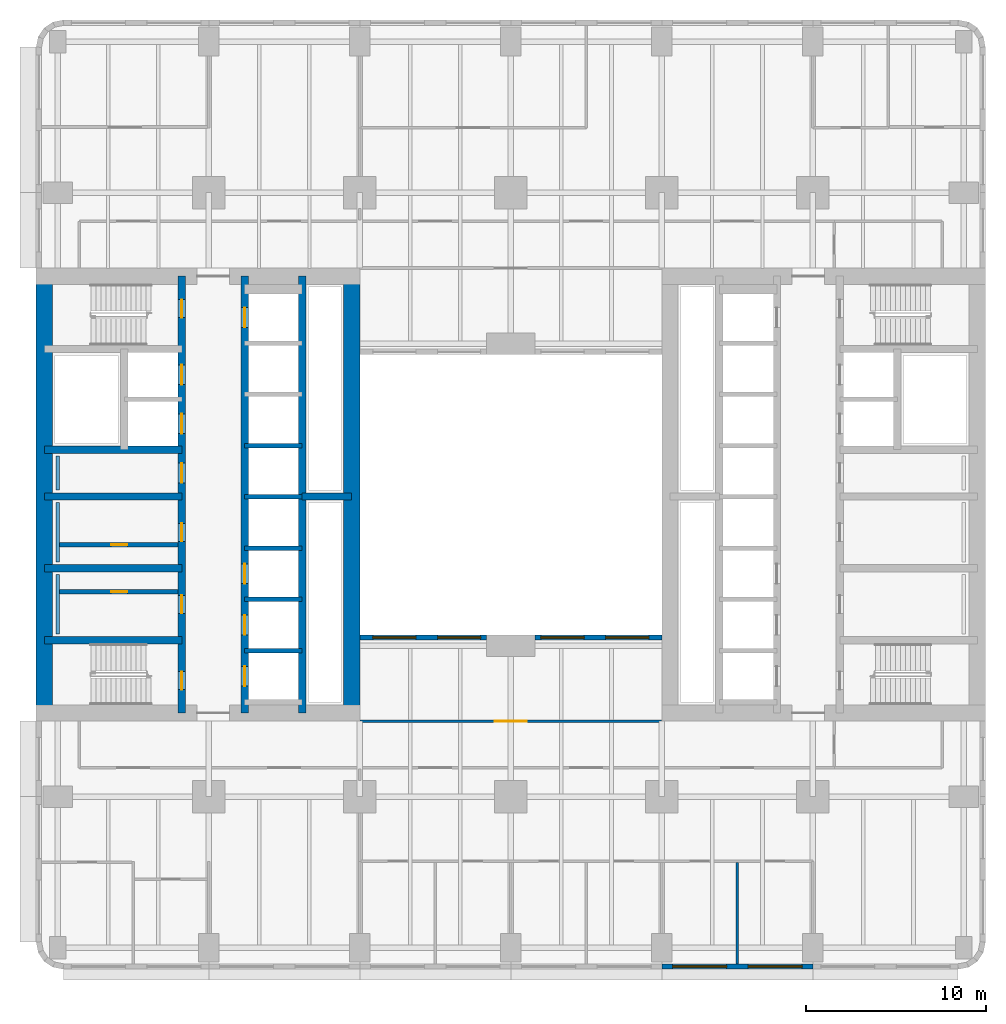
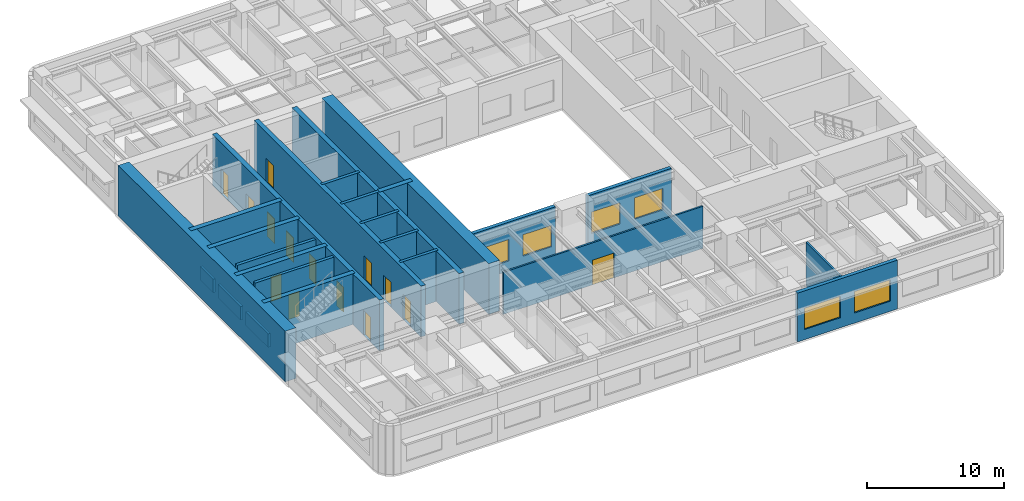
# One storey, part 4 of 12: 25 walls, 14 doors, 6 windows, 20 openings.
"""IFC4 building model written with IfcOpenShell, lengths in metres."""

from ifc_helpers import new_model, si_unit, direction, frame, frame_2d, origin, place, context, subcontext, project, spatial, rectangle, extrude, material, layer, layer_set, type_object, element, fill, save


model = new_model("IFC4")

# Units and contexts
model_context = context("Model", 3, precision=1e-05, world=origin(), true_north=direction((0.0, 1.0)))
body_context = subcontext(model_context, "Body", "Model", "MODEL_VIEW")
ifc_project = project(units=[si_unit("LENGTHUNIT", "METRE"), si_unit("AREAUNIT", "SQUARE_METRE"), si_unit("VOLUMEUNIT", "CUBIC_METRE"), si_unit("PLANEANGLEUNIT", "RADIAN"), si_unit("MASSUNIT", "GRAM", prefix="KILO")], contexts=[model_context])

# Site, building, storey
site_placement = place(None, origin())
site = spatial("IfcSite", under=ifc_project, at=site_placement, CompositionType="ELEMENT")
building_placement = place(site_placement, origin())
building = spatial("IfcBuilding", under=site, at=building_placement, Name="Claustro Exchange Tower", CompositionType="ELEMENT")
storey_placement = place(building_placement, frame((0.0, 0.0, 68.39990234375)))
storey = spatial("IfcBuildingStorey", under=building, at=storey_placement, Name="L15", CompositionType="ELEMENT", Elevation=68.39990234375)

# Wall
ifc_material_1 = material(Name="Gypsum board on steel studs", Category="steel")
ifc_layer_1 = layer(ifc_material_1, 0.14990234375)
ifc_layer_set_1 = layer_set([ifc_layer_1], Name="Gypsum board on steel studs")
wall_type_1 = type_object("IfcWallType", Name="P1 150 plasterboard partition", PredefinedType="PARTITIONING", material=ifc_layer_set_1)
wall_1_placement = place(storey_placement, frame((37.800048828125, -0.902099609375, 0.0), z_axis=(0.0, 0.0, 1.0), x_axis=(0.0, 1.0, 0.0)))
element("IfcWall", 1, at=wall_1_placement, inside=storey, type_object=wall_type_1, Name="Partition P1 L15", PredefinedType="PARTITIONING", context=body_context, shape_type="SweptSolid", body=[
    extrude(rectangle(XDim=5.628173828125, YDim=0.14990234375, at=frame_2d((2.81396484375, 0.0))), origin(), (0.0, 0.0, 1.0), 3.840087890625),
])

# Wall, opening, door
wall_2_placement = place(storey_placement, frame((16.820068359375, 12.60009765625, 0.0), z_axis=(0.0, 0.0, 1.0), x_axis=(1.0, 0.0, 0.0)))
wall_2 = element("IfcWall", 2, at=wall_2_placement, inside=storey, type_object=wall_type_1, Name="Partition P1 L15", PredefinedType="PARTITIONING", context=body_context, shape_type="SweptSolid", body=[
    extrude(rectangle(XDim=16.760009765625, YDim=0.14990234375, at=frame_2d((8.3798828125, 0.0))), origin(), (0.0, 0.0, 1.0), 3.739990234375),
])
opening_1_placement = place(wall_2_placement, frame((7.47998046875, 0.0, 0.0)))
opening_1 = element("IfcOpeningElement", 3, at=opening_1_placement, cuts=wall_2, Name="Opening D2", PredefinedType="OPENING", context=body_context, shape_type="SweptSolid", body=[
    extrude(rectangle(XDim=1.800048828125, YDim=2.199951171875, at=frame_2d((0.89990234375, 1.10009765625))), frame((0.0, 0.0849609375, 0.0), z_axis=(0.0, -1.0, 0.0), x_axis=(1.0, 0.0, 0.0)), (0.0, 0.0, 1.0), 0.169921875),
])
ifc_material_2 = material(Name="Timber door, oak veneer", Category="wood")
door_type_1 = type_object("IfcDoorType", Name="D2 1800 x 2200 double door", OperationType="DOUBLE_DOOR_SINGLE_SWING", PredefinedType="DOOR", material=ifc_material_2)
door_1_placement = place(opening_1_placement, frame((1.800048828125, 0.0, 0.0), z_axis=(0.0, 0.0, 1.0), x_axis=(-1.0, 0.0, 0.0)))
door_1 = element("IfcDoor", 4, at=door_1_placement, inside=storey, type_object=door_type_1, Name="Double door D2 L15", OperationType="DOUBLE_DOOR_SINGLE_SWING", OverallHeight=2.199951171875, OverallWidth=1.800048828125, PredefinedType="DOOR", context=body_context, shape_type="SweptSolid", body=[
    extrude(rectangle(XDim=1.800048828125, YDim=2.199951171875, at=frame_2d((0.89990234375, 1.10009765625))), frame((0.0, 0.02490234375, 0.0), z_axis=(0.0, -1.0, 0.0), x_axis=(1.0, 0.0, 0.0)), (0.0, 0.0, 1.0), 0.050048828125),
])
fill(opening_1, door_1)

ifc_material_3 = material(Name="Concrete blockwork, rendered", Category="masonry")
ifc_layer_2 = layer(ifc_material_3, 0.25)
ifc_layer_set_2 = layer_set([ifc_layer_2], Name="Concrete blockwork, rendered")
wall_type_2 = type_object("IfcWallType", Name="P4 250 blockwork wall", PredefinedType="PARTITIONING", material=ifc_layer_set_2)
wall_3_placement = place(storey_placement, frame((0.10009765625, 22.39990234375, 0.0), z_axis=(0.0, 0.0, 1.0), x_axis=(1.0, 0.0, 0.0)))
wall_3 = element("IfcWall", 5, at=wall_3_placement, inside=storey, type_object=wall_type_2, Name="Partition P4 L15", PredefinedType="PARTITIONING", context=body_context, shape_type="SweptSolid", body=[
    extrude(rectangle(XDim=6.599853515625, YDim=0.25, at=frame_2d((3.2998046875, 0.0))), origin(), (0.0, 0.0, 1.0), 4.300048828125),
])
opening_2_placement = place(wall_3_placement, frame((2.875, 0.0, 0.0)))
opening_2 = element("IfcOpeningElement", 6, at=opening_2_placement, cuts=wall_3, Name="Opening D5", PredefinedType="OPENING", context=body_context, shape_type="SweptSolid", body=[
    extrude(rectangle(XDim=0.89990234375, YDim=2.199951171875, at=frame_2d((0.449951171875, 1.10009765625))), frame((0.0, 0.135009765625, 0.0), z_axis=(0.0, -1.0, 0.0), x_axis=(1.0, 0.0, 0.0)), (0.0, 0.0, 1.0), 0.27001953125),
])
ifc_material_4 = material(Name="Steel door, painted", Category="steel")
door_type_2 = type_object("IfcDoorType", Name="D5 900 x 2200 store door", OperationType="SINGLE_SWING_LEFT", PredefinedType="DOOR", material=ifc_material_4)
door_2_placement = place(opening_2_placement, frame((0.89990234375, 0.0, 0.0), z_axis=(0.0, 0.0, 1.0), x_axis=(-1.0, 0.0, 0.0)))
door_2 = element("IfcDoor", 7, at=door_2_placement, inside=storey, type_object=door_type_2, Name="Store door D5 L15", OperationType="SINGLE_SWING_RIGHT", OverallHeight=2.199951171875, OverallWidth=0.89990234375, PredefinedType="DOOR", context=body_context, shape_type="SweptSolid", body=[
    extrude(rectangle(XDim=0.89990234375, YDim=2.199951171875, at=frame_2d((0.449951171875, 1.10009765625))), frame((0.0, 0.02490234375, 0.0), z_axis=(0.0, -1.0, 0.0), x_axis=(1.0, 0.0, 0.0)), (0.0, 0.0, 1.0), 0.050048828125),
])
fill(opening_2, door_2)

wall_4_placement = place(storey_placement, frame((0.10009765625, 19.800048828125, 0.0), z_axis=(0.0, 0.0, 1.0), x_axis=(1.0, 0.0, 0.0)))
wall_4 = element("IfcWall", 8, at=wall_4_placement, inside=storey, type_object=wall_type_2, Name="Partition P4 L15", PredefinedType="PARTITIONING", context=body_context, shape_type="SweptSolid", body=[
    extrude(rectangle(XDim=6.599853515625, YDim=0.25, at=frame_2d((3.2998046875, 0.0))), origin(), (0.0, 0.0, 1.0), 4.300048828125),
])
opening_3_placement = place(wall_4_placement, frame((2.875, 0.0, 0.0)))
opening_3 = element("IfcOpeningElement", 9, at=opening_3_placement, cuts=wall_4, Name="Opening D5", PredefinedType="OPENING", context=body_context, shape_type="SweptSolid", body=[
    extrude(rectangle(XDim=0.89990234375, YDim=2.199951171875, at=frame_2d((0.449951171875, 1.10009765625))), frame((0.0, 0.135009765625, 0.0), z_axis=(0.0, -1.0, 0.0), x_axis=(1.0, 0.0, 0.0)), (0.0, 0.0, 1.0), 0.27001953125),
])
door_3_placement = place(opening_3_placement, origin())
door_3 = element("IfcDoor", 10, at=door_3_placement, inside=storey, type_object=door_type_2, Name="Store door D5 L15", OperationType="SINGLE_SWING_LEFT", OverallHeight=2.199951171875, OverallWidth=0.89990234375, PredefinedType="DOOR", context=body_context, shape_type="SweptSolid", body=[
    extrude(rectangle(XDim=0.89990234375, YDim=2.199951171875, at=frame_2d((0.449951171875, 1.10009765625))), frame((0.0, 0.02490234375, 0.0), z_axis=(0.0, -1.0, 0.0), x_axis=(1.0, 0.0, 0.0)), (0.0, 0.0, 1.0), 0.050048828125),
])
fill(opening_3, door_3)

# Wall, openings, windows
ifc_material_5 = material(Name="Concrete HA-40 (C40/50), precast, white cement, acid-etched", Category="concrete")
ifc_layer_3 = layer(ifc_material_5, 0.300048828125)
ifc_layer_set_3 = layer_set([ifc_layer_3], Name="Concrete HA-40 (C40/50), precast, white cement, acid-etched")
wall_type_3 = type_object("IfcWallType", Name="PC1 300 precast concrete pier panel", PredefinedType="SOLIDWALL", material=ifc_layer_set_3)
wall_5_placement = place(storey_placement, frame((42.0, -1.050048828125, 0.0), z_axis=(0.0, 0.0, 1.0), x_axis=(-1.0, 0.0, 0.0)))
wall_5 = element("IfcWall", 11, at=wall_5_placement, inside=storey, type_object=wall_type_3, Name="Precast pier panel PC1 L15", PredefinedType="SOLIDWALL", context=body_context, shape_type="SweptSolid", body=[
    extrude(rectangle(XDim=8.39990234375, YDim=0.300048828125, at=frame_2d((4.199951171875, 0.0))), origin(), (0.0, 0.0, 1.0), 4.340087890625),
])
opening_4_placement = place(wall_5_placement, frame((0.60009765625, 0.0, 0.89990234375)))
opening_4 = element("IfcOpeningElement", 12, at=opening_4_placement, cuts=wall_5, Name="Opening W1", PredefinedType="OPENING", context=body_context, shape_type="SweptSolid", body=[
    extrude(rectangle(XDim=3.0, YDim=1.89990234375, at=frame_2d((1.5, 0.949951171875))), frame((0.0, 0.159912109375, 0.0), z_axis=(0.0, -1.0, 0.0), x_axis=(1.0, 0.0, 0.0)), (0.0, 0.0, 1.0), 0.320068359375),
])
opening_5_placement = place(wall_5_placement, frame((4.800048828125, 0.0, 0.89990234375)))
opening_5 = element("IfcOpeningElement", 13, at=opening_5_placement, cuts=wall_5, Name="Opening W1", PredefinedType="OPENING", context=body_context, shape_type="SweptSolid", body=[
    extrude(rectangle(XDim=3.0, YDim=1.89990234375, at=frame_2d((1.5, 0.949951171875))), frame((0.0, 0.159912109375, 0.0), z_axis=(0.0, -1.0, 0.0), x_axis=(1.0, 0.0, 0.0)), (0.0, 0.0, 1.0), 0.320068359375),
])
ifc_material_6 = material(Name="Aluminium frame, clear double glazing", Category="aluminium")
window_type_1 = type_object("IfcWindowType", Name="W1 3000 x 1900 window", PartitioningType="SINGLE_PANEL", PredefinedType="WINDOW", material=ifc_material_6)
window_1_placement = place(opening_4_placement, origin())
window_1 = element("IfcWindow", 14, at=window_1_placement, inside=storey, type_object=window_type_1, Name="Window W1 L15", OverallHeight=1.89990234375, OverallWidth=3.0, PartitioningType="SINGLE_PANEL", PredefinedType="WINDOW", context=body_context, shape_type="SweptSolid", body=[
    extrude(rectangle(XDim=3.0, YDim=1.89990234375, at=frame_2d((1.5, 0.949951171875))), frame((0.0, 0.030029296875, 0.0), z_axis=(0.0, -1.0, 0.0), x_axis=(1.0, 0.0, 0.0)), (0.0, 0.0, 1.0), 0.06005859375),
])
fill(opening_4, window_1)
window_2_placement = place(opening_5_placement, origin())
window_2 = element("IfcWindow", 15, at=window_2_placement, inside=storey, type_object=window_type_1, Name="Window W1 L15", OverallHeight=1.89990234375, OverallWidth=3.0, PartitioningType="SINGLE_PANEL", PredefinedType="WINDOW", context=body_context, shape_type="SweptSolid", body=[
    extrude(rectangle(XDim=3.0, YDim=1.89990234375, at=frame_2d((1.5, 0.949951171875))), frame((0.0, 0.030029296875, 0.0), z_axis=(0.0, -1.0, 0.0), x_axis=(1.0, 0.0, 0.0)), (0.0, 0.0, 1.0), 0.06005859375),
])
fill(opening_5, window_2)

wall_6_placement = place(storey_placement, frame((16.800048828125, 17.25, 0.0), z_axis=(0.0, 0.0, 1.0), x_axis=(1.0, 0.0, 0.0)))
wall_6 = element("IfcWall", 16, at=wall_6_placement, inside=storey, type_object=wall_type_3, Name="Precast pier panel PC1 L15", PredefinedType="SOLIDWALL", context=body_context, shape_type="SweptSolid", body=[
    extrude(rectangle(XDim=7.050048828125, YDim=0.300048828125, at=frame_2d((3.52490234375, 0.0))), origin(), (0.0, 0.0, 1.0), 4.340087890625),
])
opening_6_placement = place(wall_6_placement, frame((0.72509765625, 0.0, 0.89990234375)))
opening_6 = element("IfcOpeningElement", 17, at=opening_6_placement, cuts=wall_6, Name="Opening W2", PredefinedType="OPENING", context=body_context, shape_type="SweptSolid", body=[
    extrude(rectangle(XDim=2.39990234375, YDim=1.89990234375, at=frame_2d((1.199951171875, 0.949951171875))), frame((0.0, 0.159912109375, 0.0), z_axis=(0.0, -1.0, 0.0), x_axis=(1.0, 0.0, 0.0)), (0.0, 0.0, 1.0), 0.320068359375),
])
opening_7_placement = place(wall_6_placement, frame((4.324951171875, 0.0, 0.89990234375)))
opening_7 = element("IfcOpeningElement", 18, at=opening_7_placement, cuts=wall_6, Name="Opening W2", PredefinedType="OPENING", context=body_context, shape_type="SweptSolid", body=[
    extrude(rectangle(XDim=2.39990234375, YDim=1.89990234375, at=frame_2d((1.199951171875, 0.949951171875))), frame((0.0, 0.159912109375, 0.0), z_axis=(0.0, -1.0, 0.0), x_axis=(1.0, 0.0, 0.0)), (0.0, 0.0, 1.0), 0.320068359375),
])
ifc_material_7 = material(Name="Aluminium frame, clear double glazing", Category="aluminium")
window_type_2 = type_object("IfcWindowType", Name="W2 2400 x 1900 window", PartitioningType="SINGLE_PANEL", PredefinedType="WINDOW", material=ifc_material_7)
window_3_placement = place(opening_6_placement, origin())
window_3 = element("IfcWindow", 19, at=window_3_placement, inside=storey, type_object=window_type_2, Name="Window W2 L15", OverallHeight=1.89990234375, OverallWidth=2.39990234375, PartitioningType="SINGLE_PANEL", PredefinedType="WINDOW", context=body_context, shape_type="SweptSolid", body=[
    extrude(rectangle(XDim=2.39990234375, YDim=1.89990234375, at=frame_2d((1.199951171875, 0.949951171875))), frame((0.0, 0.030029296875, 0.0), z_axis=(0.0, -1.0, 0.0), x_axis=(1.0, 0.0, 0.0)), (0.0, 0.0, 1.0), 0.06005859375),
])
fill(opening_6, window_3)
window_4_placement = place(opening_7_placement, origin())
window_4 = element("IfcWindow", 20, at=window_4_placement, inside=storey, type_object=window_type_2, Name="Window W2 L15", OverallHeight=1.89990234375, OverallWidth=2.39990234375, PartitioningType="SINGLE_PANEL", PredefinedType="WINDOW", context=body_context, shape_type="SweptSolid", body=[
    extrude(rectangle(XDim=2.39990234375, YDim=1.89990234375, at=frame_2d((1.199951171875, 0.949951171875))), frame((0.0, 0.030029296875, 0.0), z_axis=(0.0, -1.0, 0.0), x_axis=(1.0, 0.0, 0.0)), (0.0, 0.0, 1.0), 0.06005859375),
])
fill(opening_7, window_4)

wall_7_placement = place(storey_placement, frame((26.550048828125, 17.25, 0.0), z_axis=(0.0, 0.0, 1.0), x_axis=(1.0, 0.0, 0.0)))
wall_7 = element("IfcWall", 21, at=wall_7_placement, inside=storey, type_object=wall_type_3, Name="Precast pier panel PC1 L15", PredefinedType="SOLIDWALL", context=body_context, shape_type="SweptSolid", body=[
    extrude(rectangle(XDim=7.050048828125, YDim=0.300048828125, at=frame_2d((3.52490234375, 0.0))), origin(), (0.0, 0.0, 1.0), 4.340087890625),
])
opening_8_placement = place(wall_7_placement, frame((0.324951171875, 0.0, 0.89990234375)))
opening_8 = element("IfcOpeningElement", 22, at=opening_8_placement, cuts=wall_7, Name="Opening W2", PredefinedType="OPENING", context=body_context, shape_type="SweptSolid", body=[
    extrude(rectangle(XDim=2.39990234375, YDim=1.89990234375, at=frame_2d((1.199951171875, 0.949951171875))), frame((0.0, 0.159912109375, 0.0), z_axis=(0.0, -1.0, 0.0), x_axis=(1.0, 0.0, 0.0)), (0.0, 0.0, 1.0), 0.320068359375),
])
opening_9_placement = place(wall_7_placement, frame((3.925048828125, 0.0, 0.89990234375)))
opening_9 = element("IfcOpeningElement", 23, at=opening_9_placement, cuts=wall_7, Name="Opening W2", PredefinedType="OPENING", context=body_context, shape_type="SweptSolid", body=[
    extrude(rectangle(XDim=2.39990234375, YDim=1.89990234375, at=frame_2d((1.199951171875, 0.949951171875))), frame((0.0, 0.159912109375, 0.0), z_axis=(0.0, -1.0, 0.0), x_axis=(1.0, 0.0, 0.0)), (0.0, 0.0, 1.0), 0.320068359375),
])
window_5_placement = place(opening_8_placement, origin())
window_5 = element("IfcWindow", 24, at=window_5_placement, inside=storey, type_object=window_type_2, Name="Window W2 L15", OverallHeight=1.89990234375, OverallWidth=2.39990234375, PartitioningType="SINGLE_PANEL", PredefinedType="WINDOW", context=body_context, shape_type="SweptSolid", body=[
    extrude(rectangle(XDim=2.39990234375, YDim=1.89990234375, at=frame_2d((1.199951171875, 0.949951171875))), frame((0.0, 0.030029296875, 0.0), z_axis=(0.0, -1.0, 0.0), x_axis=(1.0, 0.0, 0.0)), (0.0, 0.0, 1.0), 0.06005859375),
])
fill(opening_8, window_5)
window_6_placement = place(opening_9_placement, origin())
window_6 = element("IfcWindow", 25, at=window_6_placement, inside=storey, type_object=window_type_2, Name="Window W2 L15", OverallHeight=1.89990234375, OverallWidth=2.39990234375, PartitioningType="SINGLE_PANEL", PredefinedType="WINDOW", context=body_context, shape_type="SweptSolid", body=[
    extrude(rectangle(XDim=2.39990234375, YDim=1.89990234375, at=frame_2d((1.199951171875, 0.949951171875))), frame((0.0, 0.030029296875, 0.0), z_axis=(0.0, -1.0, 0.0), x_axis=(1.0, 0.0, 0.0)), (0.0, 0.0, 1.0), 0.06005859375),
])
fill(opening_9, window_6)

# Walls
ifc_material_8 = material(Name="Gypsum board on steel studs, tiled", Category="steel")
ifc_layer_4 = layer(ifc_material_8, 0.199951171875)
ifc_layer_set_4 = layer_set([ifc_layer_4], Name="Gypsum board on steel studs, tiled")
wall_type_4 = type_object("IfcWallType", Name="PW1 200 WC duct wall", PredefinedType="PLUMBINGWALL", material=ifc_layer_set_4)
for number, where, z_axis, x_axis, name in (
    (26, (0.0, 17.449951171875, 0.0), (0.0, 0.0, 1.0), (0.0, 1.0, 0.0), "WC duct wall PW1 L15"),
    (27, (0.0, 21.449951171875, 0.0), (0.0, 0.0, 1.0), (0.0, 1.0, 0.0), "WC duct wall PW1 L15"),
):
    element("IfcWall", number, at=place(storey_placement, frame(where, z_axis=z_axis, x_axis=x_axis)), inside=storey, type_object=wall_type_4, Name=name, PredefinedType="PLUMBINGWALL", context=body_context, shape_type="SweptSolid", body=[
        extrude(rectangle(XDim=3.300048828125, YDim=0.199951171875, at=frame_2d((1.64990234375, 0.0))), origin(), (0.0, 0.0, 1.0), 1.2001953125),
    ])
wall_8_placement = place(storey_placement, frame((0.0, 25.449951171875, 0.0), z_axis=(0.0, 0.0, 1.0), x_axis=(0.0, 1.0, 0.0)))
element("IfcWall", 28, at=wall_8_placement, inside=storey, type_object=wall_type_4, Name="WC duct wall PW1 L15", PredefinedType="PLUMBINGWALL", context=body_context, shape_type="SweptSolid", body=[
    extrude(rectangle(XDim=1.900146484375, YDim=0.199951171875, at=frame_2d((0.9501953125, 0.0))), origin(), (0.0, 0.0, 1.0), 1.2001953125),
])
ifc_material_9 = material(Name="Concrete HA-70 (C70/85)", Category="concrete")
ifc_layer_5 = layer(ifc_material_9, 0.89990234375)
ifc_layer_set_5 = layer_set([ifc_layer_5], Name="Concrete HA-70 (C70/85)")
wall_type_5 = type_object("IfcWallType", Name="SW1X 900 exposed core shear wall, board-marked face", PredefinedType="SHEAR", material=ifc_layer_set_5)
for number, where, z_axis, x_axis, name in (
    (29, (-0.75, 13.050048828125, 0.0), (0.0, 0.0, 1.0), (0.0, 1.0, 0.0), "Core wall SW1X W core W face L15"),
    (30, (16.35009765625, 13.050048828125, 0.0), (0.0, 0.0, 1.0), (0.0, 1.0, 0.0), "Core wall SW1X W core E face L15"),
):
    element("IfcWall", number, at=place(storey_placement, frame(where, z_axis=z_axis, x_axis=x_axis)), inside=storey, type_object=wall_type_5, Name=name, PredefinedType="SHEAR", context=body_context, shape_type="SweptSolid", body=[
        extrude(rectangle(XDim=24.300048828125, YDim=0.89990234375, at=frame_2d((12.14990234375, 0.0))), origin(), (0.0, 0.0, 1.0), 4.5),
    ])

# Wall, openings, doors
ifc_material_10 = material(Name="Concrete HA-50 (C50/60)", Category="concrete")
ifc_layer_6 = layer(ifc_material_10, 0.39990234375)
ifc_layer_set_6 = layer_set([ifc_layer_6], Name="Concrete HA-50 (C50/60)")
wall_type_6 = type_object("IfcWallType", Name="SW4 400 internal core wall", PredefinedType="SHEAR", material=ifc_layer_set_6)
wall_9_placement = place(storey_placement, frame((6.89990234375, 13.050048828125, 0.0), z_axis=(0.0, 0.0, 1.0), x_axis=(0.0, 1.0, 0.0)))
wall_9 = element("IfcWall", 31, at=wall_9_placement, inside=storey, type_object=wall_type_6, Name="Internal core wall SW4 W core L15", PredefinedType="SHEAR", context=body_context, shape_type="SweptSolid", body=[
    extrude(rectangle(XDim=24.300048828125, YDim=0.39990234375, at=frame_2d((12.14990234375, 0.0))), origin(), (0.0, 0.0, 1.0), 4.5),
])
opening_10_placement = place(wall_9_placement, frame((1.300048828125, 0.0, 0.0)))
opening_10 = element("IfcOpeningElement", 32, at=opening_10_placement, cuts=wall_9, Name="Opening D4", PredefinedType="OPENING", context=body_context, shape_type="SweptSolid", body=[
    extrude(rectangle(XDim=1.0, YDim=2.199951171875, at=frame_2d((0.5, 1.10009765625))), frame((0.0, 0.2099609375, 0.0), z_axis=(0.0, -1.0, 0.0), x_axis=(1.0, 0.0, 0.0)), (0.0, 0.0, 1.0), 0.419921875),
])
opening_11_placement = place(wall_9_placement, frame((22.0, 0.0, 0.0)))
opening_11 = element("IfcOpeningElement", 33, at=opening_11_placement, cuts=wall_9, Name="Opening D4", PredefinedType="OPENING", context=body_context, shape_type="SweptSolid", body=[
    extrude(rectangle(XDim=1.0, YDim=2.199951171875, at=frame_2d((0.5, 1.10009765625))), frame((0.0, 0.2099609375, 0.0), z_axis=(0.0, -1.0, 0.0), x_axis=(1.0, 0.0, 0.0)), (0.0, 0.0, 1.0), 0.419921875),
])
opening_12_placement = place(wall_9_placement, frame((5.550048828125, 0.0, 0.0)))
opening_12 = element("IfcOpeningElement", 34, at=opening_12_placement, cuts=wall_9, Name="Opening D1", PredefinedType="OPENING", context=body_context, shape_type="SweptSolid", body=[
    extrude(rectangle(XDim=1.0, YDim=2.199951171875, at=frame_2d((0.5, 1.10009765625))), frame((0.0, 0.2099609375, 0.0), z_axis=(0.0, -1.0, 0.0), x_axis=(1.0, 0.0, 0.0)), (0.0, 0.0, 1.0), 0.419921875),
])
opening_13_placement = place(wall_9_placement, frame((9.550048828125, 0.0, 0.0)))
opening_13 = element("IfcOpeningElement", 35, at=opening_13_placement, cuts=wall_9, Name="Opening D1", PredefinedType="OPENING", context=body_context, shape_type="SweptSolid", body=[
    extrude(rectangle(XDim=1.0, YDim=2.199951171875, at=frame_2d((0.5, 1.10009765625))), frame((0.0, 0.2099609375, 0.0), z_axis=(0.0, -1.0, 0.0), x_axis=(1.0, 0.0, 0.0)), (0.0, 0.0, 1.0), 0.419921875),
])
opening_14_placement = place(wall_9_placement, frame((12.800048828125, 0.0, 0.0)))
opening_14 = element("IfcOpeningElement", 36, at=opening_14_placement, cuts=wall_9, Name="Opening D10", PredefinedType="OPENING", context=body_context, shape_type="SweptSolid", body=[
    extrude(rectangle(XDim=1.10009765625, YDim=2.199951171875, at=frame_2d((0.550048828125, 1.10009765625))), frame((0.0, 0.2099609375, 0.0), z_axis=(0.0, -1.0, 0.0), x_axis=(1.0, 0.0, 0.0)), (0.0, 0.0, 1.0), 0.419921875),
])
opening_15_placement = place(wall_9_placement, frame((15.53759765625, 0.0, 0.0)))
opening_15 = element("IfcOpeningElement", 37, at=opening_15_placement, cuts=wall_9, Name="Opening LD", PredefinedType="OPENING", context=body_context, shape_type="SweptSolid", body=[
    extrude(rectangle(XDim=1.10009765625, YDim=2.199951171875, at=frame_2d((0.550048828125, 1.10009765625))), frame((0.0, 0.2099609375, 0.0), z_axis=(0.0, -1.0, 0.0), x_axis=(1.0, 0.0, 0.0)), (0.0, 0.0, 1.0), 0.419921875),
])
opening_16_placement = place(wall_9_placement, frame((18.262451171875, 0.0, 0.0)))
opening_16 = element("IfcOpeningElement", 38, at=opening_16_placement, cuts=wall_9, Name="Opening LD", PredefinedType="OPENING", context=body_context, shape_type="SweptSolid", body=[
    extrude(rectangle(XDim=1.10009765625, YDim=2.199951171875, at=frame_2d((0.550048828125, 1.10009765625))), frame((0.0, 0.2099609375, 0.0), z_axis=(0.0, -1.0, 0.0), x_axis=(1.0, 0.0, 0.0)), (0.0, 0.0, 1.0), 0.419921875),
])
ifc_material_11 = material(Name="Timber door, oak veneer", Category="wood")
door_type_3 = type_object("IfcDoorType", Name="D1 1000 x 2200 single door", OperationType="SINGLE_SWING_LEFT", PredefinedType="DOOR", material=ifc_material_11)
door_4_placement = place(opening_12_placement, origin())
door_4 = element("IfcDoor", 39, at=door_4_placement, inside=storey, type_object=door_type_3, Name="Door D1 L15", OperationType="SINGLE_SWING_RIGHT", OverallHeight=2.199951171875, OverallWidth=1.0, PredefinedType="DOOR", context=body_context, shape_type="SweptSolid", body=[
    extrude(rectangle(XDim=1.0, YDim=2.199951171875, at=frame_2d((0.5, 1.10009765625))), frame((0.0, 0.02490234375, 0.0), z_axis=(0.0, -1.0, 0.0), x_axis=(1.0, 0.0, 0.0)), (0.0, 0.0, 1.0), 0.050048828125),
])
fill(opening_12, door_4)
door_5_placement = place(opening_13_placement, origin())
door_5 = element("IfcDoor", 40, at=door_5_placement, inside=storey, type_object=door_type_3, Name="Door D1 L15", OperationType="SINGLE_SWING_LEFT", OverallHeight=2.199951171875, OverallWidth=1.0, PredefinedType="DOOR", context=body_context, shape_type="SweptSolid", body=[
    extrude(rectangle(XDim=1.0, YDim=2.199951171875, at=frame_2d((0.5, 1.10009765625))), frame((0.0, 0.02490234375, 0.0), z_axis=(0.0, -1.0, 0.0), x_axis=(1.0, 0.0, 0.0)), (0.0, 0.0, 1.0), 0.050048828125),
])
fill(opening_13, door_5)
ifc_material_12 = material(Name="Timber door, oak veneer", Category="wood")
door_type_4 = type_object("IfcDoorType", Name="D10 1100 x 2200 accessible WC door", OperationType="SINGLE_SWING_LEFT", PredefinedType="DOOR", material=ifc_material_12)
door_6_placement = place(opening_14_placement, frame((1.10009765625, 0.0, 0.0), z_axis=(0.0, 0.0, 1.0), x_axis=(-1.0, 0.0, 0.0)))
door_6 = element("IfcDoor", 41, at=door_6_placement, inside=storey, type_object=door_type_4, Name="Accessible WC door D10 L15", OperationType="SINGLE_SWING_LEFT", OverallHeight=2.199951171875, OverallWidth=1.10009765625, PredefinedType="DOOR", context=body_context, shape_type="SweptSolid", body=[
    extrude(rectangle(XDim=1.10009765625, YDim=2.199951171875, at=frame_2d((0.550048828125, 1.10009765625))), frame((0.0, 0.02490234375, 0.0), z_axis=(0.0, -1.0, 0.0), x_axis=(1.0, 0.0, 0.0)), (0.0, 0.0, 1.0), 0.050048828125),
])
fill(opening_14, door_6)
ifc_material_13 = material(Name="Steel fire door, painted", Category="steel")
door_type_5 = type_object("IfcDoorType", Name="D4 1000 x 2200 fire-rated stair door", OperationType="SINGLE_SWING_LEFT", PredefinedType="DOOR", material=ifc_material_13)
door_7_placement = place(opening_10_placement, origin())
door_7 = element("IfcDoor", 42, at=door_7_placement, inside=storey, type_object=door_type_5, Name="Stair door D4 L15", OperationType="SINGLE_SWING_LEFT", OverallHeight=2.199951171875, OverallWidth=1.0, PredefinedType="DOOR", context=body_context, shape_type="SweptSolid", body=[
    extrude(rectangle(XDim=1.0, YDim=2.199951171875, at=frame_2d((0.5, 1.10009765625))), frame((0.0, 0.02490234375, 0.0), z_axis=(0.0, -1.0, 0.0), x_axis=(1.0, 0.0, 0.0)), (0.0, 0.0, 1.0), 0.050048828125),
])
fill(opening_10, door_7)
door_8_placement = place(opening_11_placement, origin())
door_8 = element("IfcDoor", 43, at=door_8_placement, inside=storey, type_object=door_type_5, Name="Stair door D4 L15", OperationType="SINGLE_SWING_RIGHT", OverallHeight=2.199951171875, OverallWidth=1.0, PredefinedType="DOOR", context=body_context, shape_type="SweptSolid", body=[
    extrude(rectangle(XDim=1.0, YDim=2.199951171875, at=frame_2d((0.5, 1.10009765625))), frame((0.0, 0.02490234375, 0.0), z_axis=(0.0, -1.0, 0.0), x_axis=(1.0, 0.0, 0.0)), (0.0, 0.0, 1.0), 0.050048828125),
])
fill(opening_11, door_8)
ifc_material_14 = material(Name="Stainless steel sliding door", Category="steel")
door_type_6 = type_object("IfcDoorType", Name="LD 1100 x 2200 lift landing door", OperationType="DOUBLE_DOOR_SLIDING", PredefinedType="DOOR", material=ifc_material_14)
door_9_placement = place(opening_15_placement, origin())
door_9 = element("IfcDoor", 44, at=door_9_placement, inside=storey, type_object=door_type_6, Name="Lift landing door LEW1 LD L15", OperationType="DOUBLE_DOOR_SLIDING", OverallHeight=2.199951171875, OverallWidth=1.10009765625, PredefinedType="DOOR", context=body_context, shape_type="SweptSolid", body=[
    extrude(rectangle(XDim=1.10009765625, YDim=2.199951171875, at=frame_2d((0.550048828125, 1.10009765625))), frame((0.0, 0.02490234375, 0.0), z_axis=(0.0, -1.0, 0.0), x_axis=(1.0, 0.0, 0.0)), (0.0, 0.0, 1.0), 0.050048828125),
])
fill(opening_15, door_9)
door_10_placement = place(opening_16_placement, origin())
door_10 = element("IfcDoor", 45, at=door_10_placement, inside=storey, type_object=door_type_6, Name="Lift landing door LEW2 LD L15", OperationType="DOUBLE_DOOR_SLIDING", OverallHeight=2.199951171875, OverallWidth=1.10009765625, PredefinedType="DOOR", context=body_context, shape_type="SweptSolid", body=[
    extrude(rectangle(XDim=1.10009765625, YDim=2.199951171875, at=frame_2d((0.550048828125, 1.10009765625))), frame((0.0, 0.02490234375, 0.0), z_axis=(0.0, -1.0, 0.0), x_axis=(1.0, 0.0, 0.0)), (0.0, 0.0, 1.0), 0.050048828125),
])
fill(opening_16, door_10)

wall_10_placement = place(storey_placement, frame((10.39990234375, 13.050048828125, 0.0), z_axis=(0.0, 0.0, 1.0), x_axis=(0.0, 1.0, 0.0)))
wall_10 = element("IfcWall", 46, at=wall_10_placement, inside=storey, type_object=wall_type_6, Name="Internal core wall SW4 W core L15", PredefinedType="SHEAR", context=body_context, shape_type="SweptSolid", body=[
    extrude(rectangle(XDim=24.300048828125, YDim=0.39990234375, at=frame_2d((12.14990234375, 0.0))), origin(), (0.0, 0.0, 1.0), 4.5),
])
opening_17_placement = place(wall_10_placement, frame((1.5, 0.0, 0.0)))
opening_17 = element("IfcOpeningElement", 47, at=opening_17_placement, cuts=wall_10, Name="Opening LD", PredefinedType="OPENING", context=body_context, shape_type="SweptSolid", body=[
    extrude(rectangle(XDim=1.10009765625, YDim=2.199951171875, at=frame_2d((0.550048828125, 1.10009765625))), frame((0.0, 0.2099609375, 0.0), z_axis=(0.0, -1.0, 0.0), x_axis=(1.0, 0.0, 0.0)), (0.0, 0.0, 1.0), 0.419921875),
])
opening_18_placement = place(wall_10_placement, frame((4.35009765625, 0.0, 0.0)))
opening_18 = element("IfcOpeningElement", 48, at=opening_18_placement, cuts=wall_10, Name="Opening LD", PredefinedType="OPENING", context=body_context, shape_type="SweptSolid", body=[
    extrude(rectangle(XDim=1.10009765625, YDim=2.199951171875, at=frame_2d((0.550048828125, 1.10009765625))), frame((0.0, 0.2099609375, 0.0), z_axis=(0.0, -1.0, 0.0), x_axis=(1.0, 0.0, 0.0)), (0.0, 0.0, 1.0), 0.419921875),
])
opening_19_placement = place(wall_10_placement, frame((7.199951171875, 0.0, 0.0)))
opening_19 = element("IfcOpeningElement", 49, at=opening_19_placement, cuts=wall_10, Name="Opening LD", PredefinedType="OPENING", context=body_context, shape_type="SweptSolid", body=[
    extrude(rectangle(XDim=1.10009765625, YDim=2.199951171875, at=frame_2d((0.550048828125, 1.10009765625))), frame((0.0, 0.2099609375, 0.0), z_axis=(0.0, -1.0, 0.0), x_axis=(1.0, 0.0, 0.0)), (0.0, 0.0, 1.0), 0.419921875),
])
opening_20_placement = place(wall_10_placement, frame((21.449951171875, 0.0, 0.0)))
opening_20 = element("IfcOpeningElement", 50, at=opening_20_placement, cuts=wall_10, Name="Opening LD", PredefinedType="OPENING", context=body_context, shape_type="SweptSolid", body=[
    extrude(rectangle(XDim=1.10009765625, YDim=2.199951171875, at=frame_2d((0.550048828125, 1.10009765625))), frame((0.0, 0.2099609375, 0.0), z_axis=(0.0, -1.0, 0.0), x_axis=(1.0, 0.0, 0.0)), (0.0, 0.0, 1.0), 0.419921875),
])
door_11_placement = place(opening_17_placement, origin())
door_11 = element("IfcDoor", 51, at=door_11_placement, inside=storey, type_object=door_type_6, Name="Lift landing door LLW1 LD L15", OperationType="DOUBLE_DOOR_SLIDING", OverallHeight=2.199951171875, OverallWidth=1.10009765625, PredefinedType="DOOR", context=body_context, shape_type="SweptSolid", body=[
    extrude(rectangle(XDim=1.10009765625, YDim=2.199951171875, at=frame_2d((0.550048828125, 1.10009765625))), frame((0.0, 0.02490234375, 0.0), z_axis=(0.0, -1.0, 0.0), x_axis=(1.0, 0.0, 0.0)), (0.0, 0.0, 1.0), 0.050048828125),
])
fill(opening_17, door_11)
door_12_placement = place(opening_18_placement, origin())
door_12 = element("IfcDoor", 52, at=door_12_placement, inside=storey, type_object=door_type_6, Name="Lift landing door LLW2 LD L15", OperationType="DOUBLE_DOOR_SLIDING", OverallHeight=2.199951171875, OverallWidth=1.10009765625, PredefinedType="DOOR", context=body_context, shape_type="SweptSolid", body=[
    extrude(rectangle(XDim=1.10009765625, YDim=2.199951171875, at=frame_2d((0.550048828125, 1.10009765625))), frame((0.0, 0.02490234375, 0.0), z_axis=(0.0, -1.0, 0.0), x_axis=(1.0, 0.0, 0.0)), (0.0, 0.0, 1.0), 0.050048828125),
])
fill(opening_18, door_12)
door_13_placement = place(opening_19_placement, origin())
door_13 = element("IfcDoor", 53, at=door_13_placement, inside=storey, type_object=door_type_6, Name="Lift landing door LLW3 LD L15", OperationType="DOUBLE_DOOR_SLIDING", OverallHeight=2.199951171875, OverallWidth=1.10009765625, PredefinedType="DOOR", context=body_context, shape_type="SweptSolid", body=[
    extrude(rectangle(XDim=1.10009765625, YDim=2.199951171875, at=frame_2d((0.550048828125, 1.10009765625))), frame((0.0, 0.02490234375, 0.0), z_axis=(0.0, -1.0, 0.0), x_axis=(1.0, 0.0, 0.0)), (0.0, 0.0, 1.0), 0.050048828125),
])
fill(opening_19, door_13)
door_14_placement = place(opening_20_placement, origin())
door_14 = element("IfcDoor", 54, at=door_14_placement, inside=storey, type_object=door_type_6, Name="Lift landing door LSW1 LD L15", OperationType="DOUBLE_DOOR_SLIDING", OverallHeight=2.199951171875, OverallWidth=1.10009765625, PredefinedType="DOOR", context=body_context, shape_type="SweptSolid", body=[
    extrude(rectangle(XDim=1.10009765625, YDim=2.199951171875, at=frame_2d((0.550048828125, 1.10009765625))), frame((0.0, 0.02490234375, 0.0), z_axis=(0.0, -1.0, 0.0), x_axis=(1.0, 0.0, 0.0)), (0.0, 0.0, 1.0), 0.050048828125),
])
fill(opening_20, door_14)

# Walls
wall_11_placement = place(storey_placement, frame((13.60009765625, 13.050048828125, 0.0), z_axis=(0.0, 0.0, 1.0), x_axis=(0.0, 1.0, 0.0)))
element("IfcWall", 55, at=wall_11_placement, inside=storey, type_object=wall_type_6, Name="Internal core wall SW4 W core L15", PredefinedType="SHEAR", context=body_context, shape_type="SweptSolid", body=[
    extrude(rectangle(XDim=24.300048828125, YDim=0.39990234375, at=frame_2d((12.14990234375, 0.0))), origin(), (0.0, 0.0, 1.0), 4.5),
])
for number, where, z_axis, x_axis, name in (
    (56, (-0.75, 17.10009765625, 0.0), (0.0, 0.0, 1.0), (1.0, 0.0, 0.0), "Internal core wall SW4 W core L15"),
    (57, (-0.75, 21.10009765625, 0.0), (0.0, 0.0, 1.0), (1.0, 0.0, 0.0), "Internal core wall SW4 W core L15"),
    (58, (-0.75, 25.10009765625, 0.0), (0.0, 0.0, 1.0), (1.0, 0.0, 0.0), "Internal core wall SW4 W core L15"),
    (59, (-0.75, 27.699951171875, 0.0), (0.0, 0.0, 1.0), (1.0, 0.0, 0.0), "Internal core wall SW4 W core L15"),
):
    element("IfcWall", number, at=place(storey_placement, frame(where, z_axis=z_axis, x_axis=x_axis)), inside=storey, type_object=wall_type_6, Name=name, PredefinedType="SHEAR", context=body_context, shape_type="SweptSolid", body=[
        extrude(rectangle(XDim=7.64990234375, YDim=0.39990234375, at=frame_2d((3.824951171875, 0.0))), origin(), (0.0, 0.0, 1.0), 4.5),
    ])
wall_12_placement = place(storey_placement, frame((13.60009765625, 25.10009765625, 0.0), z_axis=(0.0, 0.0, 1.0), x_axis=(1.0, 0.0, 0.0)))
element("IfcWall", 60, at=wall_12_placement, inside=storey, type_object=wall_type_6, Name="Internal core wall SW4 W core L15", PredefinedType="SHEAR", context=body_context, shape_type="SweptSolid", body=[
    extrude(rectangle(XDim=2.75, YDim=0.39990234375, at=frame_2d((1.375, 0.0))), origin(), (0.0, 0.0, 1.0), 4.5),
])
ifc_material_15 = material(Name="Concrete HA-50 (C50/60)", Category="concrete")
ifc_layer_7 = layer(ifc_material_15, 0.25)
ifc_layer_set_7 = layer_set([ifc_layer_7], Name="Concrete HA-50 (C50/60)")
wall_type_7 = type_object("IfcWallType", Name="SW5 250 lift shaft divider wall", PredefinedType="SHEAR", material=ifc_layer_set_7)
for number, where, z_axis, x_axis, name in (
    (61, (10.39990234375, 16.52490234375, 0.0), (0.0, 0.0, 1.0), (1.0, 0.0, 0.0), "Lift shaft wall W core L15"),
    (62, (10.39990234375, 19.375, 0.0), (0.0, 0.0, 1.0), (1.0, 0.0, 0.0), "Lift shaft wall W core L15"),
    (63, (10.39990234375, 22.22509765625, 0.0), (0.0, 0.0, 1.0), (1.0, 0.0, 0.0), "Lift shaft wall W core L15"),
    (64, (10.39990234375, 25.074951171875, 0.0), (0.0, 0.0, 1.0), (1.0, 0.0, 0.0), "Lift shaft wall W core L15"),
    (65, (10.39990234375, 27.925048828125, 0.0), (0.0, 0.0, 1.0), (1.0, 0.0, 0.0), "Lift shaft wall W core L15"),
):
    element("IfcWall", number, at=place(storey_placement, frame(where, z_axis=z_axis, x_axis=x_axis)), inside=storey, type_object=wall_type_7, Name=name, PredefinedType="SHEAR", context=body_context, shape_type="SweptSolid", body=[
        extrude(rectangle(XDim=3.2001953125, YDim=0.25, at=frame_2d((1.60009765625, 0.0))), origin(), (0.0, 0.0, 1.0), 4.5),
    ])

save(model, "model.ifc")
